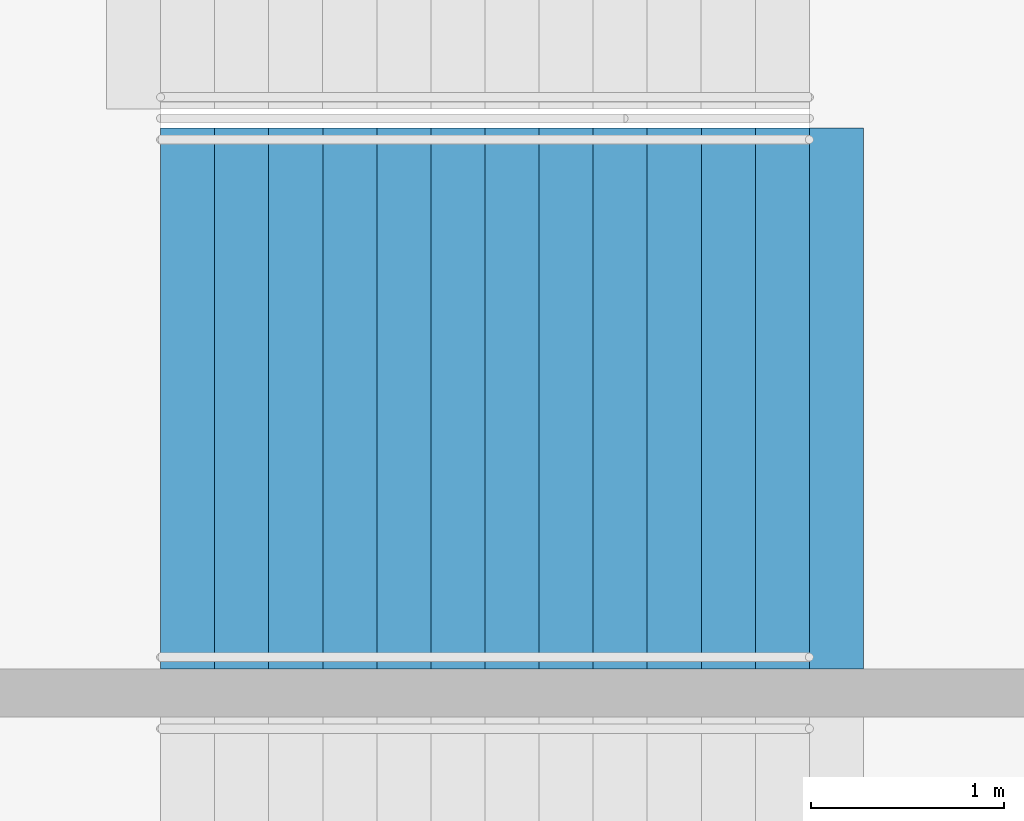
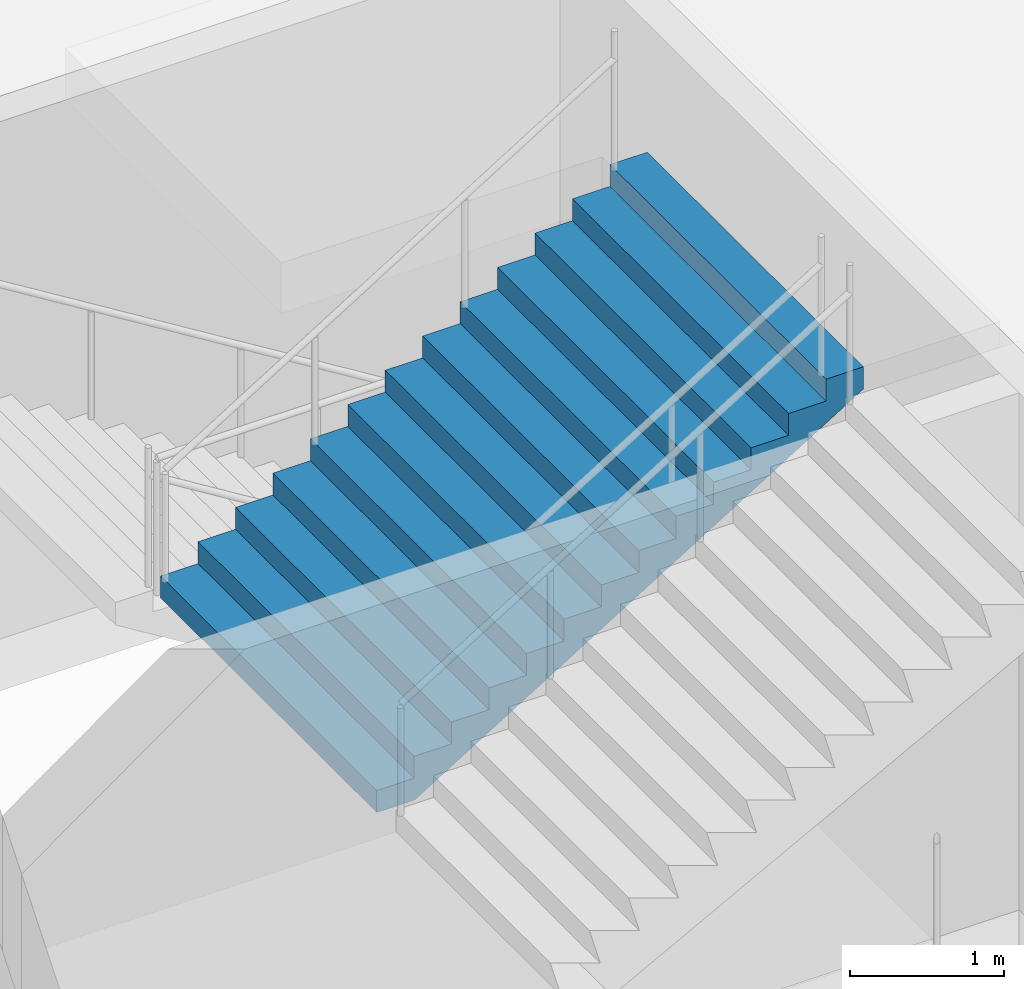
# One storey, part 136 of 199: 1 stair flight, 1 element without a shape of its own.
"""IFC4 building model written with IfcOpenShell, lengths in metres."""

import ifcopenshell
import ifcopenshell.guid

model = None  # the IFC model being written
_history = None  # IfcOwnerHistory: only IFC2X3 demands one
_inside = {}  # id of a spatial element -> (the spatial element, [elements in it])
_under = {}  # id of a project, library or spatial element -> (it, [spatial elements below it])
_declared = {}  # id of a project -> (the project, [libraries it declares])
_typed = {}  # id of a type object -> (the type object, [elements of that type])
_made_of = {}  # id of a material, layer set ... -> (it, [elements and type objects made of it])


def new_model(schema):
    """Start an empty IFC model of exactly this schema.

    Asked for "IFC4X3", IfcOpenShell would pick the latest addendum, in which some entities
    have other attributes; the version numbers below select the first issue.
    IFC2X3 requires an IfcOwnerHistory on every rooted entity: one is made here for all.
    """
    global model, _history
    if schema == "IFC4X3":
        model = ifcopenshell.file(schema_version=(4, 3, 0, 0))
    else:
        model = ifcopenshell.file(schema=schema)
    _inside.clear()
    _under.clear()
    _declared.clear()
    _typed.clear()
    _made_of.clear()
    _history = None
    if model.schema == "IFC2X3":
        org = make("IfcOrganization", Name="unknown")
        user = make(
            "IfcPersonAndOrganization",
            ThePerson=make("IfcPerson", FamilyName="unknown"),
            TheOrganization=org,
        )
        app = make(
            "IfcApplication",
            ApplicationDeveloper=org,
            Version="unknown",
            ApplicationFullName="unknown",
            ApplicationIdentifier="unknown",
        )
        _history = make(
            "IfcOwnerHistory",
            OwningUser=user,
            OwningApplication=app,
            ChangeAction="ADDED",
            CreationDate=0,
        )
    return model


def make(cls, **values):
    """One entity of the class cls with the attributes given. An attribute that is None is left unset."""
    return model.create_entity(
        cls, **{name: value for name, value in values.items() if value is not None}
    )


def rooted(cls, **values):
    """An entity with a GlobalId (a new one), such as an element, a storey or a relation."""
    return make(cls, GlobalId=ifcopenshell.guid.new(), OwnerHistory=_history, **values)


def si_unit(unit_type, name, prefix=None):
    """IfcSIUnit, for example si_unit("LENGTHUNIT", "METRE", prefix="MILLI")."""
    return make("IfcSIUnit", UnitType=unit_type, Prefix=prefix, Name=name)


def assignment(units):
    """IfcUnitAssignment: the units of a project."""
    return None if units is None else make("IfcUnitAssignment", Units=units)


def point(xyz):
    """IfcCartesianPoint."""
    return None if xyz is None else make("IfcCartesianPoint", Coordinates=xyz)


def direction(xyz):
    """IfcDirection."""
    return None if xyz is None else make("IfcDirection", DirectionRatios=xyz)


def frame(location, z_axis=None, x_axis=None):
    """IfcAxis2Placement3D, a coordinate frame: its origin and axes. An axis left out is left unset."""
    return make(
        "IfcAxis2Placement3D",
        Location=point(location),
        Axis=direction(z_axis),
        RefDirection=direction(x_axis),
    )


def origin():
    """The frame at (0, 0, 0) with its axes left unset."""
    return frame((0.0, 0.0, 0.0))


def place(relative_to, where):
    """IfcLocalPlacement: puts the frame where relative to a parent placement (None: the world)."""
    return make(
        "IfcLocalPlacement", PlacementRelTo=relative_to, RelativePlacement=where
    )


def context(
    kind, dimensions, precision=None, world=None, true_north=None, identifier=None
):
    """IfcGeometricRepresentationContext, for example the 3D "Model" context."""
    return make(
        "IfcGeometricRepresentationContext",
        ContextIdentifier=identifier,
        ContextType=kind,
        CoordinateSpaceDimension=dimensions,
        Precision=precision,
        WorldCoordinateSystem=world,
        TrueNorth=true_north,
    )


def subcontext(parent, identifier, kind, view, scale=None):
    """IfcGeometricRepresentationSubContext, for example "Body" below "Model"."""
    return make(
        "IfcGeometricRepresentationSubContext",
        ContextIdentifier=identifier,
        ContextType=kind,
        ParentContext=parent,
        TargetScale=scale,
        TargetView=view,
    )


def project(units=None, contexts=None):
    """IfcProject with its units and contexts."""
    return rooted(
        "IfcProject",
        Name="project",
        RepresentationContexts=contexts,
        UnitsInContext=assignment(units),
    )


def spatial(cls, under=None, at=None, **own):
    """A site, building, storey or space (cls), placed at a placement, below another one or the project."""
    s = rooted(cls, ObjectPlacement=at, **own)
    if under is not None:
        _under.setdefault(under.id(), (under, []))[1].append(s)
    return s


def faces_of(points, faces, orient=None, outer=None):
    """IfcFace entities. A face is a list of loops; a loop is a list of indices into points, from 0.

    orient and outer hold one flag for each loop. By default every Orientation is true, the
    first loop of a face is its IfcFaceOuterBound and the others are IfcFaceBound.
    """
    made = []
    for i, loops in enumerate(faces):
        bounds = []
        for j, loop in enumerate(loops):
            is_outer = j == 0 if outer is None else outer[i][j]
            bounds.append(
                make(
                    "IfcFaceOuterBound" if is_outer else "IfcFaceBound",
                    Bound=make("IfcPolyLoop", Polygon=[points[k] for k in loop]),
                    Orientation=True if orient is None else orient[i][j],
                )
            )
        made.append(make("IfcFace", Bounds=bounds))
    return made


def faceted_brep(points, faces, orient=None, outer=None, voids=None):
    """IfcFacetedBrep: a solid bounded by flat faces; with voids (closed shells), ...WithVoids."""
    shared = [point(p) for p in points]
    hull = make("IfcClosedShell", CfsFaces=faces_of(shared, faces, orient, outer))
    if voids is None:
        return make("IfcFacetedBrep", Outer=hull)
    return make(
        "IfcFacetedBrepWithVoids",
        Outer=hull,
        Voids=[
            make(cls, CfsFaces=faces_of(shared, fs, o, b)) for cls, fs, o, b in voids
        ],
    )


def shape(context_of_items, identifier, shape_type, items):
    """IfcShapeRepresentation: the items that make up one representation, for example the "Body"."""
    return make(
        "IfcShapeRepresentation",
        ContextOfItems=context_of_items,
        RepresentationIdentifier=identifier,
        RepresentationType=shape_type,
        Items=items,
    )


def material(Name=None, Category=None):
    """IfcMaterial."""
    return make("IfcMaterial", Name=Name, Category=Category)


def made_of(thing, what):
    """Note that an element or type object is made of a material, layer set ...; save() writes the relation."""
    if what is not None:
        _made_of.setdefault(what.id(), (what, []))[1].append(thing)
    return thing


def type_object(cls, material=None, **own):
    """A type object (cls), such as IfcWallType, which elements share."""
    return made_of(rooted(cls, **own), material)


def element(
    cls,
    number,
    at=None,
    inside=None,
    cuts=None,
    type_object=None,
    material=None,
    context=None,
    identifier="Body",
    shape_type=None,
    held_by="IfcProductDefinitionShape",
    body=None,
    shapes=None,
    **own,
):
    """One element of the class cls, such as IfcWall. Its Tag is "e" and its number.

    at: its placement. inside: the storey or other place that contains it. cuts: it is an
    opening in that element (IfcRelVoidsElement). A single representation is given by context,
    identifier, shape_type and body (its items); several are given by shapes. held_by: the class
    of the entity that holds the representations. save() writes the other relations.
    """
    e = rooted(cls, Tag="e%d" % number, ObjectPlacement=at, **own)
    if body is not None:
        shapes = [shape(context, identifier, shape_type, body)]
    if shapes is not None:
        e.Representation = make(held_by, Representations=shapes)
    if inside is not None:
        _inside.setdefault(inside.id(), (inside, []))[1].append(e)
    if cuts is not None:
        rooted(
            "IfcRelVoidsElement", RelatingBuildingElement=cuts, RelatedOpeningElement=e
        )
    if type_object is not None:
        _typed.setdefault(type_object.id(), (type_object, []))[1].append(e)
    return made_of(e, material)


def aggregate(whole, parts):
    """IfcRelAggregates: a whole, such as a stair, and the parts it consists of."""
    return rooted("IfcRelAggregates", RelatingObject=whole, RelatedObjects=parts)


def save(model, path):
    """Write the relations noted so far, then the file.

    IfcRelAggregates (storeys below a building ...), IfcRelContainedInSpatialStructure (elements
    in a storey), IfcRelDefinesByType, IfcRelAssociatesMaterial and IfcRelDeclares: one each for
    every whole, place, type object, material and project.
    """
    for whole, parts in _under.values():
        aggregate(whole, parts)
    for where, things in _inside.values():
        rooted(
            "IfcRelContainedInSpatialStructure",
            RelatedElements=things,
            RelatingStructure=where,
        )
    for kind, things in _typed.values():
        rooted("IfcRelDefinesByType", RelatedObjects=things, RelatingType=kind)
    for what, things in _made_of.values():
        rooted("IfcRelAssociatesMaterial", RelatedObjects=things, RelatingMaterial=what)
    for by, libraries in _declared.values():
        rooted("IfcRelDeclares", RelatingContext=by, RelatedDefinitions=libraries)
    model.write(path)


model = new_model("IFC4")

# Units and contexts
model_context = context("Model", 3, precision=1e-05, world=origin(), true_north=direction((0.0, 1.0)))
body_context = subcontext(model_context, "Body", "Model", "MODEL_VIEW")
ifc_project = project(units=[si_unit("LENGTHUNIT", "METRE"), si_unit("AREAUNIT", "SQUARE_METRE"), si_unit("VOLUMEUNIT", "CUBIC_METRE"), si_unit("PLANEANGLEUNIT", "RADIAN"), si_unit("MASSUNIT", "GRAM", prefix="KILO")], contexts=[model_context])

# Site, building, storey
site_placement = place(None, origin())
site = spatial("IfcSite", under=ifc_project, at=site_placement, CompositionType="ELEMENT")
building_placement = place(site_placement, origin())
building = spatial("IfcBuilding", under=site, at=building_placement, Name="Ogive Plaza Stadium", CompositionType="ELEMENT")
storey_placement = place(building_placement, frame((0.0, 0.0, 4.5)))
storey = spatial("IfcBuildingStorey", under=building, at=storey_placement, Name="L01", CompositionType="ELEMENT", Elevation=4.5)

# Stair, stair flight
ifc_material_1 = material(Name="Concrete C40/50", Category="concrete")
stair_type = type_object("IfcStairType", Name="Exit stair", PredefinedType="STRAIGHT_RUN_STAIR", material=ifc_material_1)
stair_placement = place(storey_placement, origin())
stair = element("IfcStair", 1, at=stair_placement, inside=storey, type_object=stair_type, Name="Exit stair ST26A L01 to L02", PredefinedType="STRAIGHT_RUN_STAIR")
ifc_material_2 = material(Name="Concrete C40/50", Category="concrete")
stair_flight_type = type_object("IfcStairFlightType", Name="Exit stair flight", PredefinedType="STRAIGHT", material=ifc_material_2)
stair_flight_placement = place(storey_placement, frame((-79.7099609375, 24.02490234375, 2.25), z_axis=(0.0, 0.0, 1.0), x_axis=(1.0, 0.0, 0.0)))
stair_flight = element("IfcStairFlight", 2, at=stair_flight_placement, type_object=stair_flight_type, Name="ST26A flight 2", NumberOfRisers=13, NumberOfTreads=12, PredefinedType="STRAIGHT", RiserHeight=0.173076923, TreadLength=0.28, context=body_context, shape_type="Brep", body=[
    faceted_brep([(0.28515625, -1.39990234375, 0.0), (3.639892578125, -1.39990234375, 2.07373046875), (3.639892578125, -1.39990234375, 2.25), (3.360107421875, -1.39990234375, 2.25), (3.360107421875, -1.39990234375, 2.076904296875), (3.080078125, -1.39990234375, 2.076904296875), (3.080078125, -1.39990234375, 1.90380859375), (2.800048828125, -1.39990234375, 1.90380859375), (2.800048828125, -1.39990234375, 1.730712890625), (2.52001953125, -1.39990234375, 1.730712890625), (2.52001953125, -1.39990234375, 1.5576171875), (2.239990234375, -1.39990234375, 1.5576171875), (2.239990234375, -1.39990234375, 1.384521484375), (1.9599609375, -1.39990234375, 1.384521484375), (1.9599609375, -1.39990234375, 1.21142578125), (1.679931640625, -1.39990234375, 1.21142578125), (1.679931640625, -1.39990234375, 1.03857421875), (1.39990234375, -1.39990234375, 1.03857421875), (1.39990234375, -1.39990234375, 0.865478515625), (1.1201171875, -1.39990234375, 0.865478515625), (1.1201171875, -1.39990234375, 0.6923828125), (0.840087890625, -1.39990234375, 0.6923828125), (0.840087890625, -1.39990234375, 0.519287109375), (0.56005859375, -1.39990234375, 0.519287109375), (0.56005859375, -1.39990234375, 0.34619140625), (0.280029296875, -1.39990234375, 0.34619140625), (0.280029296875, -1.39990234375, 0.173095703125), (0.0, -1.39990234375, 0.173095703125), (0.0, -1.39990234375, 0.0), (0.0, 1.39990234375, 0.0), (0.0, 1.39990234375, 0.173095703125), (0.280029296875, 1.39990234375, 0.173095703125), (0.280029296875, 1.39990234375, 0.34619140625), (0.56005859375, 1.39990234375, 0.34619140625), (0.56005859375, 1.39990234375, 0.519287109375), (0.840087890625, 1.39990234375, 0.519287109375), (0.840087890625, 1.39990234375, 0.6923828125), (1.1201171875, 1.39990234375, 0.6923828125), (1.1201171875, 1.39990234375, 0.865478515625), (1.39990234375, 1.39990234375, 0.865478515625), (1.39990234375, 1.39990234375, 1.03857421875), (1.679931640625, 1.39990234375, 1.03857421875), (1.679931640625, 1.39990234375, 1.21142578125), (1.9599609375, 1.39990234375, 1.21142578125), (1.9599609375, 1.39990234375, 1.384521484375), (2.239990234375, 1.39990234375, 1.384521484375), (2.239990234375, 1.39990234375, 1.5576171875), (2.52001953125, 1.39990234375, 1.5576171875), (2.52001953125, 1.39990234375, 1.730712890625), (2.800048828125, 1.39990234375, 1.730712890625), (2.800048828125, 1.39990234375, 1.90380859375), (3.080078125, 1.39990234375, 1.90380859375), (3.080078125, 1.39990234375, 2.076904296875), (3.360107421875, 1.39990234375, 2.076904296875), (3.360107421875, 1.39990234375, 2.25), (3.639892578125, 1.39990234375, 2.25), (3.639892578125, 1.39990234375, 2.07373046875), (0.28515625, 1.39990234375, 0.0), (0.28515625, -1.0888671875, 0.0), (3.639892578125, -1.0888671875, 2.07373046875), (0.28515625, -0.77783203125, 0.0), (3.639892578125, -0.77783203125, 2.07373046875), (0.28515625, -0.466796875, 0.0), (3.639892578125, -0.466796875, 2.07373046875), (0.28515625, -0.155517578125, 0.0), (3.639892578125, -0.155517578125, 2.07373046875), (0.28515625, 0.155517578125, 0.0), (3.639892578125, 0.155517578125, 2.07373046875), (0.28515625, 0.466796875, 0.0), (3.639892578125, 0.466796875, 2.07373046875), (0.28515625, 0.77783203125, 0.0), (3.639892578125, 0.77783203125, 2.07373046875), (0.28515625, 1.0888671875, 0.0), (3.639892578125, 1.0888671875, 2.07373046875), (3.639892578125, -1.0888671875, 2.25), (3.639892578125, -0.77783203125, 2.25), (3.639892578125, -0.466796875, 2.25), (3.639892578125, -0.155517578125, 2.25), (3.639892578125, 0.155517578125, 2.25), (3.639892578125, 0.466796875, 2.25), (3.639892578125, 0.77783203125, 2.25), (3.639892578125, 1.0888671875, 2.25), (3.360107421875, -1.0888671875, 2.25), (3.360107421875, -0.77783203125, 2.25), (3.360107421875, -0.466796875, 2.25), (3.360107421875, -0.155517578125, 2.25), (3.360107421875, 0.155517578125, 2.25), (3.360107421875, 0.466796875, 2.25), (3.360107421875, 0.77783203125, 2.25), (3.360107421875, 1.0888671875, 2.25), (3.360107421875, -1.0888671875, 2.076904296875), (3.360107421875, -0.77783203125, 2.076904296875), (3.360107421875, -0.466796875, 2.076904296875), (3.360107421875, -0.155517578125, 2.076904296875), (3.360107421875, 0.155517578125, 2.076904296875), (3.360107421875, 0.466796875, 2.076904296875), (3.360107421875, 0.77783203125, 2.076904296875), (3.360107421875, 1.0888671875, 2.076904296875), (3.080078125, -1.0888671875, 2.076904296875), (3.080078125, -0.77783203125, 2.076904296875), (3.080078125, -0.466796875, 2.076904296875), (3.080078125, -0.155517578125, 2.076904296875), (3.080078125, 0.155517578125, 2.076904296875), (3.080078125, 0.466796875, 2.076904296875), (3.080078125, 0.77783203125, 2.076904296875), (3.080078125, 1.0888671875, 2.076904296875), (3.080078125, -1.0888671875, 1.90380859375), (3.080078125, -0.77783203125, 1.90380859375), (3.080078125, -0.466796875, 1.90380859375), (3.080078125, -0.155517578125, 1.90380859375), (3.080078125, 0.155517578125, 1.90380859375), (3.080078125, 0.466796875, 1.90380859375), (3.080078125, 0.77783203125, 1.90380859375), (3.080078125, 1.0888671875, 1.90380859375), (2.800048828125, -1.0888671875, 1.90380859375), (2.800048828125, -0.77783203125, 1.90380859375), (2.800048828125, -0.466796875, 1.90380859375), (2.800048828125, -0.155517578125, 1.90380859375), (2.800048828125, 0.155517578125, 1.90380859375), (2.800048828125, 0.466796875, 1.90380859375), (2.800048828125, 0.77783203125, 1.90380859375), (2.800048828125, 1.0888671875, 1.90380859375), (2.800048828125, -1.0888671875, 1.730712890625), (2.800048828125, -0.77783203125, 1.730712890625), (2.800048828125, -0.466796875, 1.730712890625), (2.800048828125, -0.155517578125, 1.730712890625), (2.800048828125, 0.155517578125, 1.730712890625), (2.800048828125, 0.466796875, 1.730712890625), (2.800048828125, 0.77783203125, 1.730712890625), (2.800048828125, 1.0888671875, 1.730712890625), (2.52001953125, -1.0888671875, 1.730712890625), (2.52001953125, -0.77783203125, 1.730712890625), (2.52001953125, -0.466796875, 1.730712890625), (2.52001953125, -0.155517578125, 1.730712890625), (2.52001953125, 0.155517578125, 1.730712890625), (2.52001953125, 0.466796875, 1.730712890625), (2.52001953125, 0.77783203125, 1.730712890625), (2.52001953125, 1.0888671875, 1.730712890625), (2.52001953125, -1.0888671875, 1.5576171875), (2.52001953125, -0.77783203125, 1.5576171875), (2.52001953125, -0.466796875, 1.5576171875), (2.52001953125, -0.155517578125, 1.5576171875), (2.52001953125, 0.155517578125, 1.5576171875), (2.52001953125, 0.466796875, 1.5576171875), (2.52001953125, 0.77783203125, 1.5576171875), (2.52001953125, 1.0888671875, 1.5576171875), (2.239990234375, -1.0888671875, 1.5576171875), (2.239990234375, -0.77783203125, 1.5576171875), (2.239990234375, -0.466796875, 1.5576171875), (2.239990234375, -0.155517578125, 1.5576171875), (2.239990234375, 0.155517578125, 1.5576171875), (2.239990234375, 0.466796875, 1.5576171875), (2.239990234375, 0.77783203125, 1.5576171875), (2.239990234375, 1.0888671875, 1.5576171875), (2.239990234375, -1.0888671875, 1.384521484375), (2.239990234375, -0.77783203125, 1.384521484375), (2.239990234375, -0.466796875, 1.384521484375), (2.239990234375, -0.155517578125, 1.384521484375), (2.239990234375, 0.155517578125, 1.384521484375), (2.239990234375, 0.466796875, 1.384521484375), (2.239990234375, 0.77783203125, 1.384521484375), (2.239990234375, 1.0888671875, 1.384521484375), (1.9599609375, -1.0888671875, 1.384521484375), (1.9599609375, -0.77783203125, 1.384521484375), (1.9599609375, -0.466796875, 1.384521484375), (1.9599609375, -0.155517578125, 1.384521484375), (1.9599609375, 0.155517578125, 1.384521484375), (1.9599609375, 0.466796875, 1.384521484375), (1.9599609375, 0.77783203125, 1.384521484375), (1.9599609375, 1.0888671875, 1.384521484375), (1.9599609375, -1.0888671875, 1.21142578125), (1.9599609375, -0.77783203125, 1.21142578125), (1.9599609375, -0.466796875, 1.21142578125), (1.9599609375, -0.155517578125, 1.21142578125), (1.9599609375, 0.155517578125, 1.21142578125), (1.9599609375, 0.466796875, 1.21142578125), (1.9599609375, 0.77783203125, 1.21142578125), (1.9599609375, 1.0888671875, 1.21142578125), (1.679931640625, -1.0888671875, 1.21142578125), (1.679931640625, -0.77783203125, 1.21142578125), (1.679931640625, -0.466796875, 1.21142578125), (1.679931640625, -0.155517578125, 1.21142578125), (1.679931640625, 0.155517578125, 1.21142578125), (1.679931640625, 0.466796875, 1.21142578125), (1.679931640625, 0.77783203125, 1.21142578125), (1.679931640625, 1.0888671875, 1.21142578125), (1.679931640625, -1.0888671875, 1.03857421875), (1.679931640625, -0.77783203125, 1.03857421875), (1.679931640625, -0.466796875, 1.03857421875), (1.679931640625, -0.155517578125, 1.03857421875), (1.679931640625, 0.155517578125, 1.03857421875), (1.679931640625, 0.466796875, 1.03857421875), (1.679931640625, 0.77783203125, 1.03857421875), (1.679931640625, 1.0888671875, 1.03857421875), (1.39990234375, -1.0888671875, 1.03857421875), (1.39990234375, -0.77783203125, 1.03857421875), (1.39990234375, -0.466796875, 1.03857421875), (1.39990234375, -0.155517578125, 1.03857421875), (1.39990234375, 0.155517578125, 1.03857421875), (1.39990234375, 0.466796875, 1.03857421875), (1.39990234375, 0.77783203125, 1.03857421875), (1.39990234375, 1.0888671875, 1.03857421875), (1.39990234375, -1.0888671875, 0.865478515625), (1.39990234375, -0.77783203125, 0.865478515625), (1.39990234375, -0.466796875, 0.865478515625), (1.39990234375, -0.155517578125, 0.865478515625), (1.39990234375, 0.155517578125, 0.865478515625), (1.39990234375, 0.466796875, 0.865478515625), (1.39990234375, 0.77783203125, 0.865478515625), (1.39990234375, 1.0888671875, 0.865478515625), (1.1201171875, -1.0888671875, 0.865478515625), (1.1201171875, -0.77783203125, 0.865478515625), (1.1201171875, -0.466796875, 0.865478515625), (1.1201171875, -0.155517578125, 0.865478515625), (1.1201171875, 0.155517578125, 0.865478515625), (1.1201171875, 0.466796875, 0.865478515625), (1.1201171875, 0.77783203125, 0.865478515625), (1.1201171875, 1.0888671875, 0.865478515625), (1.1201171875, -1.0888671875, 0.6923828125), (1.1201171875, -0.77783203125, 0.6923828125), (1.1201171875, -0.466796875, 0.6923828125), (1.1201171875, -0.155517578125, 0.6923828125), (1.1201171875, 0.155517578125, 0.6923828125), (1.1201171875, 0.466796875, 0.6923828125), (1.1201171875, 0.77783203125, 0.6923828125), (1.1201171875, 1.0888671875, 0.6923828125), (0.840087890625, -1.0888671875, 0.6923828125), (0.840087890625, -0.77783203125, 0.6923828125), (0.840087890625, -0.466796875, 0.6923828125), (0.840087890625, -0.155517578125, 0.6923828125), (0.840087890625, 0.155517578125, 0.6923828125), (0.840087890625, 0.466796875, 0.6923828125), (0.840087890625, 0.77783203125, 0.6923828125), (0.840087890625, 1.0888671875, 0.6923828125), (0.840087890625, -1.0888671875, 0.519287109375), (0.840087890625, -0.77783203125, 0.519287109375), (0.840087890625, -0.466796875, 0.519287109375), (0.840087890625, -0.155517578125, 0.519287109375), (0.840087890625, 0.155517578125, 0.519287109375), (0.840087890625, 0.466796875, 0.519287109375), (0.840087890625, 0.77783203125, 0.519287109375), (0.840087890625, 1.0888671875, 0.519287109375), (0.56005859375, -1.0888671875, 0.519287109375), (0.56005859375, -0.77783203125, 0.519287109375), (0.56005859375, -0.466796875, 0.519287109375), (0.56005859375, -0.155517578125, 0.519287109375), (0.56005859375, 0.155517578125, 0.519287109375), (0.56005859375, 0.466796875, 0.519287109375), (0.56005859375, 0.77783203125, 0.519287109375), (0.56005859375, 1.0888671875, 0.519287109375), (0.56005859375, -1.0888671875, 0.34619140625), (0.56005859375, -0.77783203125, 0.34619140625), (0.56005859375, -0.466796875, 0.34619140625), (0.56005859375, -0.155517578125, 0.34619140625), (0.56005859375, 0.155517578125, 0.34619140625), (0.56005859375, 0.466796875, 0.34619140625), (0.56005859375, 0.77783203125, 0.34619140625), (0.56005859375, 1.0888671875, 0.34619140625), (0.280029296875, -1.0888671875, 0.34619140625), (0.280029296875, -0.77783203125, 0.34619140625), (0.280029296875, -0.466796875, 0.34619140625), (0.280029296875, -0.155517578125, 0.34619140625), (0.280029296875, 0.155517578125, 0.34619140625), (0.280029296875, 0.466796875, 0.34619140625), (0.280029296875, 0.77783203125, 0.34619140625), (0.280029296875, 1.0888671875, 0.34619140625), (0.280029296875, -1.0888671875, 0.173095703125), (0.280029296875, -0.77783203125, 0.173095703125), (0.280029296875, -0.466796875, 0.173095703125), (0.280029296875, -0.155517578125, 0.173095703125), (0.280029296875, 0.155517578125, 0.173095703125), (0.280029296875, 0.466796875, 0.173095703125), (0.280029296875, 0.77783203125, 0.173095703125), (0.280029296875, 1.0888671875, 0.173095703125), (0.0, -1.0888671875, 0.173095703125), (0.0, -0.77783203125, 0.173095703125), (0.0, -0.466796875, 0.173095703125), (0.0, -0.155517578125, 0.173095703125), (0.0, 0.155517578125, 0.173095703125), (0.0, 0.466796875, 0.173095703125), (0.0, 0.77783203125, 0.173095703125), (0.0, 1.0888671875, 0.173095703125), (0.0, -1.0888671875, 0.0), (0.0, -0.77783203125, 0.0), (0.0, -0.466796875, 0.0), (0.0, -0.155517578125, 0.0), (0.0, 0.155517578125, 0.0), (0.0, 0.466796875, 0.0), (0.0, 0.77783203125, 0.0), (0.0, 1.0888671875, 0.0)], [[[0, 1, 2, 3, 4, 5, 6, 7, 8, 9, 10, 11, 12, 13, 14, 15, 16, 17, 18, 19, 20, 21, 22, 23, 24, 25, 26, 27, 28]], [[29, 30, 31, 32, 33, 34, 35, 36, 37, 38, 39, 40, 41, 42, 43, 44, 45, 46, 47, 48, 49, 50, 51, 52, 53, 54, 55, 56, 57]], [[0, 58, 59, 1]], [[58, 60, 61, 59]], [[60, 62, 63, 61]], [[62, 64, 65, 63]], [[64, 66, 67, 65]], [[66, 68, 69, 67]], [[68, 70, 71, 69]], [[70, 72, 73, 71]], [[72, 57, 56, 73]], [[1, 59, 74, 2]], [[59, 61, 75, 74]], [[61, 63, 76, 75]], [[63, 65, 77, 76]], [[65, 67, 78, 77]], [[67, 69, 79, 78]], [[69, 71, 80, 79]], [[71, 73, 81, 80]], [[73, 56, 55, 81]], [[2, 74, 82, 3]], [[74, 75, 83, 82]], [[75, 76, 84, 83]], [[76, 77, 85, 84]], [[77, 78, 86, 85]], [[78, 79, 87, 86]], [[79, 80, 88, 87]], [[80, 81, 89, 88]], [[81, 55, 54, 89]], [[3, 82, 90, 4]], [[82, 83, 91, 90]], [[83, 84, 92, 91]], [[84, 85, 93, 92]], [[85, 86, 94, 93]], [[86, 87, 95, 94]], [[87, 88, 96, 95]], [[88, 89, 97, 96]], [[89, 54, 53, 97]], [[4, 90, 98, 5]], [[90, 91, 99, 98]], [[91, 92, 100, 99]], [[92, 93, 101, 100]], [[93, 94, 102, 101]], [[94, 95, 103, 102]], [[95, 96, 104, 103]], [[96, 97, 105, 104]], [[97, 53, 52, 105]], [[5, 98, 106, 6]], [[98, 99, 107, 106]], [[99, 100, 108, 107]], [[100, 101, 109, 108]], [[101, 102, 110, 109]], [[102, 103, 111, 110]], [[103, 104, 112, 111]], [[104, 105, 113, 112]], [[105, 52, 51, 113]], [[6, 106, 114, 7]], [[106, 107, 115, 114]], [[107, 108, 116, 115]], [[108, 109, 117, 116]], [[109, 110, 118, 117]], [[110, 111, 119, 118]], [[111, 112, 120, 119]], [[112, 113, 121, 120]], [[113, 51, 50, 121]], [[7, 114, 122, 8]], [[114, 115, 123, 122]], [[115, 116, 124, 123]], [[116, 117, 125, 124]], [[117, 118, 126, 125]], [[118, 119, 127, 126]], [[119, 120, 128, 127]], [[120, 121, 129, 128]], [[121, 50, 49, 129]], [[8, 122, 130, 9]], [[122, 123, 131, 130]], [[123, 124, 132, 131]], [[124, 125, 133, 132]], [[125, 126, 134, 133]], [[126, 127, 135, 134]], [[127, 128, 136, 135]], [[128, 129, 137, 136]], [[129, 49, 48, 137]], [[9, 130, 138, 10]], [[130, 131, 139, 138]], [[131, 132, 140, 139]], [[132, 133, 141, 140]], [[133, 134, 142, 141]], [[134, 135, 143, 142]], [[135, 136, 144, 143]], [[136, 137, 145, 144]], [[137, 48, 47, 145]], [[10, 138, 146, 11]], [[138, 139, 147, 146]], [[139, 140, 148, 147]], [[140, 141, 149, 148]], [[141, 142, 150, 149]], [[142, 143, 151, 150]], [[143, 144, 152, 151]], [[144, 145, 153, 152]], [[145, 47, 46, 153]], [[11, 146, 154, 12]], [[146, 147, 155, 154]], [[147, 148, 156, 155]], [[148, 149, 157, 156]], [[149, 150, 158, 157]], [[150, 151, 159, 158]], [[151, 152, 160, 159]], [[152, 153, 161, 160]], [[153, 46, 45, 161]], [[12, 154, 162, 13]], [[154, 155, 163, 162]], [[155, 156, 164, 163]], [[156, 157, 165, 164]], [[157, 158, 166, 165]], [[158, 159, 167, 166]], [[159, 160, 168, 167]], [[160, 161, 169, 168]], [[161, 45, 44, 169]], [[13, 162, 170, 14]], [[162, 163, 171, 170]], [[163, 164, 172, 171]], [[164, 165, 173, 172]], [[165, 166, 174, 173]], [[166, 167, 175, 174]], [[167, 168, 176, 175]], [[168, 169, 177, 176]], [[169, 44, 43, 177]], [[14, 170, 178, 15]], [[170, 171, 179, 178]], [[171, 172, 180, 179]], [[172, 173, 181, 180]], [[173, 174, 182, 181]], [[174, 175, 183, 182]], [[175, 176, 184, 183]], [[176, 177, 185, 184]], [[177, 43, 42, 185]], [[15, 178, 186, 16]], [[178, 179, 187, 186]], [[179, 180, 188, 187]], [[180, 181, 189, 188]], [[181, 182, 190, 189]], [[182, 183, 191, 190]], [[183, 184, 192, 191]], [[184, 185, 193, 192]], [[185, 42, 41, 193]], [[16, 186, 194, 17]], [[186, 187, 195, 194]], [[187, 188, 196, 195]], [[188, 189, 197, 196]], [[189, 190, 198, 197]], [[190, 191, 199, 198]], [[191, 192, 200, 199]], [[192, 193, 201, 200]], [[193, 41, 40, 201]], [[17, 194, 202, 18]], [[194, 195, 203, 202]], [[195, 196, 204, 203]], [[196, 197, 205, 204]], [[197, 198, 206, 205]], [[198, 199, 207, 206]], [[199, 200, 208, 207]], [[200, 201, 209, 208]], [[201, 40, 39, 209]], [[18, 202, 210, 19]], [[202, 203, 211, 210]], [[203, 204, 212, 211]], [[204, 205, 213, 212]], [[205, 206, 214, 213]], [[206, 207, 215, 214]], [[207, 208, 216, 215]], [[208, 209, 217, 216]], [[209, 39, 38, 217]], [[19, 210, 218, 20]], [[210, 211, 219, 218]], [[211, 212, 220, 219]], [[212, 213, 221, 220]], [[213, 214, 222, 221]], [[214, 215, 223, 222]], [[215, 216, 224, 223]], [[216, 217, 225, 224]], [[217, 38, 37, 225]], [[20, 218, 226, 21]], [[218, 219, 227, 226]], [[219, 220, 228, 227]], [[220, 221, 229, 228]], [[221, 222, 230, 229]], [[222, 223, 231, 230]], [[223, 224, 232, 231]], [[224, 225, 233, 232]], [[225, 37, 36, 233]], [[21, 226, 234, 22]], [[226, 227, 235, 234]], [[227, 228, 236, 235]], [[228, 229, 237, 236]], [[229, 230, 238, 237]], [[230, 231, 239, 238]], [[231, 232, 240, 239]], [[232, 233, 241, 240]], [[233, 36, 35, 241]], [[22, 234, 242, 23]], [[234, 235, 243, 242]], [[235, 236, 244, 243]], [[236, 237, 245, 244]], [[237, 238, 246, 245]], [[238, 239, 247, 246]], [[239, 240, 248, 247]], [[240, 241, 249, 248]], [[241, 35, 34, 249]], [[23, 242, 250, 24]], [[242, 243, 251, 250]], [[243, 244, 252, 251]], [[244, 245, 253, 252]], [[245, 246, 254, 253]], [[246, 247, 255, 254]], [[247, 248, 256, 255]], [[248, 249, 257, 256]], [[249, 34, 33, 257]], [[24, 250, 258, 25]], [[250, 251, 259, 258]], [[251, 252, 260, 259]], [[252, 253, 261, 260]], [[253, 254, 262, 261]], [[254, 255, 263, 262]], [[255, 256, 264, 263]], [[256, 257, 265, 264]], [[257, 33, 32, 265]], [[25, 258, 266, 26]], [[258, 259, 267, 266]], [[259, 260, 268, 267]], [[260, 261, 269, 268]], [[261, 262, 270, 269]], [[262, 263, 271, 270]], [[263, 264, 272, 271]], [[264, 265, 273, 272]], [[265, 32, 31, 273]], [[26, 266, 274, 27]], [[266, 267, 275, 274]], [[267, 268, 276, 275]], [[268, 269, 277, 276]], [[269, 270, 278, 277]], [[270, 271, 279, 278]], [[271, 272, 280, 279]], [[272, 273, 281, 280]], [[273, 31, 30, 281]], [[27, 274, 282, 28]], [[274, 275, 283, 282]], [[275, 276, 284, 283]], [[276, 277, 285, 284]], [[277, 278, 286, 285]], [[278, 279, 287, 286]], [[279, 280, 288, 287]], [[280, 281, 289, 288]], [[281, 30, 29, 289]], [[28, 282, 58, 0]], [[282, 283, 60, 58]], [[283, 284, 62, 60]], [[284, 285, 64, 62]], [[285, 286, 66, 64]], [[286, 287, 68, 66]], [[287, 288, 70, 68]], [[288, 289, 72, 70]], [[289, 29, 57, 72]]]),
])
aggregate(stair, [stair_flight])

save(model, "model.ifc")
